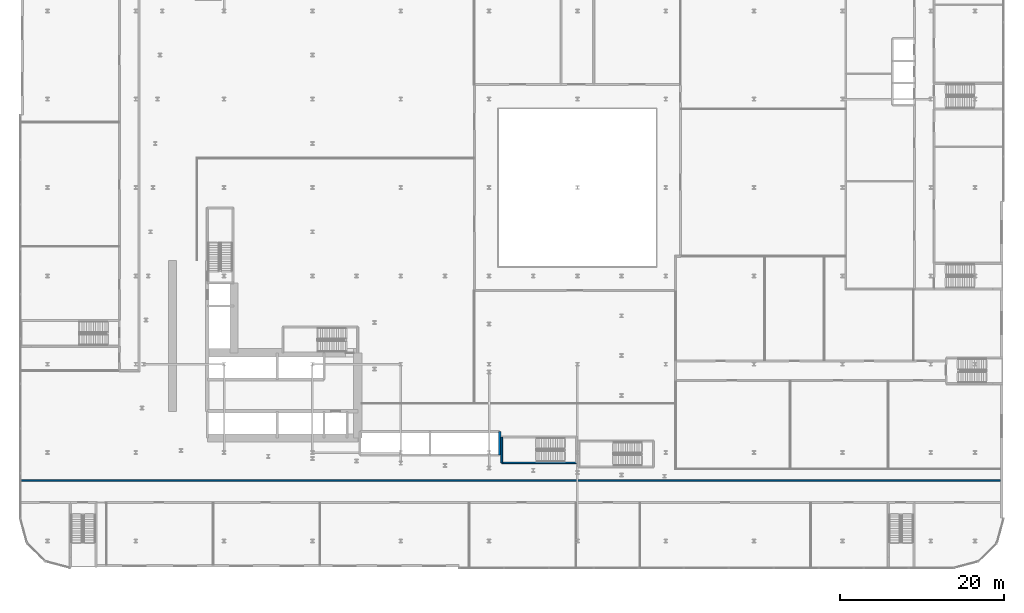
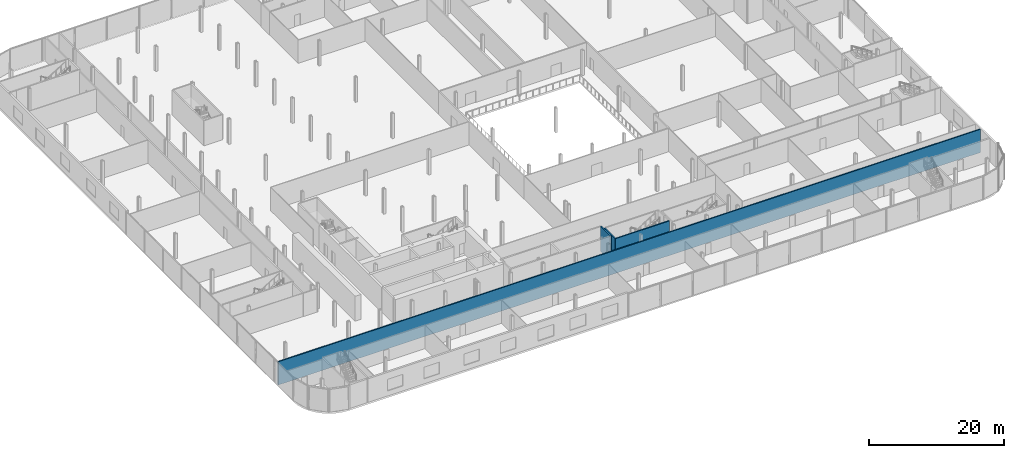
# One storey, part 28 of 47: 4 walls.
"""IFC4 building model written with IfcOpenShell, lengths in metres."""

from ifc_helpers import new_model, si_unit, direction, frame, frame_2d, origin, place, context, subcontext, project, spatial, rectangle, extrude, material, layer, layer_set, type_object, element, save


model = new_model("IFC4")

# Units and contexts
model_context = context("Model", 3, precision=1e-05, world=origin(), true_north=direction((0.0, 1.0)))
body_context = subcontext(model_context, "Body", "Model", "MODEL_VIEW")
ifc_project = project(units=[si_unit("LENGTHUNIT", "METRE"), si_unit("AREAUNIT", "SQUARE_METRE"), si_unit("VOLUMEUNIT", "CUBIC_METRE"), si_unit("PLANEANGLEUNIT", "RADIAN"), si_unit("MASSUNIT", "GRAM", prefix="KILO")], contexts=[model_context])

# Site, building, storey
site_placement = place(None, origin())
site = spatial("IfcSite", under=ifc_project, at=site_placement, CompositionType="ELEMENT")
building_placement = place(site_placement, origin())
building = spatial("IfcBuilding", under=site, at=building_placement, Name="Kheshtan School and Residences Tower", CompositionType="ELEMENT")
storey_placement = place(building_placement, frame((0.0, 0.0, 12.5)))
storey = spatial("IfcBuildingStorey", under=building, at=storey_placement, Name="L02", CompositionType="ELEMENT", Elevation=12.5)

# Walls
ifc_material_1 = material(Name="Gypsum board on steel studs with fire boards", Category="steel")
ifc_layer_1 = layer(ifc_material_1, 0.199951171875)
ifc_layer_set_1 = layer_set([ifc_layer_1], Name="Corridor wall 200")
wall_type_1 = type_object("IfcWallType", Name="Corridor wall 200", PredefinedType="PARTITIONING", material=ifc_layer_set_1)
wall_1_placement = place(storey_placement, frame((12.0, 20.60009765625, 0.0), z_axis=(0.0, 0.0, 1.0), x_axis=(1.0, 0.0, 0.0)))
element("IfcWall", 1, at=wall_1_placement, inside=storey, type_object=wall_type_1, Name="Partition L02-002", PredefinedType="PARTITIONING", context=body_context, shape_type="SweptSolid", body=[
    extrude(rectangle(XDim=119.700927734375, YDim=0.199951171875, at=frame_2d((59.8505859375, 0.0))), origin(), (0.0, 0.0, 1.0), 4.179931640625),
])
ifc_material_2 = material(Name="Fire-board shaft wall system")
ifc_layer_2 = layer(ifc_material_2, 0.25)
ifc_layer_set_2 = layer_set([ifc_layer_2], Name="Shaft lining wall 250")
wall_type_2 = type_object("IfcWallType", Name="Shaft lining wall 250", PredefinedType="PARTITIONING", material=ifc_layer_set_2)
wall_2_placement = place(storey_placement, frame((70.5, 23.699951171875, 0.0), z_axis=(0.0, 0.0, 1.0), x_axis=(0.0, 1.0, 0.0)))
element("IfcWall", 2, at=wall_2_placement, inside=storey, type_object=wall_type_2, Name="Shaft lining wall", PredefinedType="PARTITIONING", context=body_context, shape_type="SweptSolid", body=[
    extrude(rectangle(XDim=2.85009765625, YDim=0.25, at=frame_2d((1.425048828125, 0.0))), origin(), (0.0, 0.0, 1.0), 4.5),
])
ifc_material_3 = material(Name="Concrete C40/50", Category="concrete")
ifc_layer_3 = layer(ifc_material_3, 0.199951171875)
ifc_layer_set_3 = layer_set([ifc_layer_3], Name="Stair enclosure wall 200 Concrete C40/50")
wall_type_3 = type_object("IfcWallType", Name="Stair enclosure wall 200 Concrete C40/50", PredefinedType="SHEAR", material=ifc_layer_set_3)
wall_3_placement = place(storey_placement, frame((70.75, 22.75, 0.0), z_axis=(0.0, 0.0, 1.0), x_axis=(1.0, 0.0, 0.0)))
element("IfcWall", 3, at=wall_3_placement, inside=storey, type_object=wall_type_3, Name="Stair enclosure wall ST5", PredefinedType="SHEAR", context=body_context, shape_type="SweptSolid", body=[
    extrude(rectangle(XDim=9.159912109375, YDim=0.199951171875, at=frame_2d((4.580078125, 0.0))), origin(), (0.0, 0.0, 1.0), 4.5),
])
wall_4_placement = place(storey_placement, frame((70.75, 22.75, 0.0), z_axis=(0.0, 0.0, 1.0), x_axis=(0.0, 1.0, 0.0)))
element("IfcWall", 4, at=wall_4_placement, inside=storey, type_object=wall_type_3, Name="Stair enclosure wall ST5", PredefinedType="SHEAR", context=body_context, shape_type="SweptSolid", body=[
    extrude(rectangle(XDim=3.14990234375, YDim=0.199951171875, at=frame_2d((1.574951171875, 0.0))), origin(), (0.0, 0.0, 1.0), 4.5),
])

save(model, "model.ifc")
